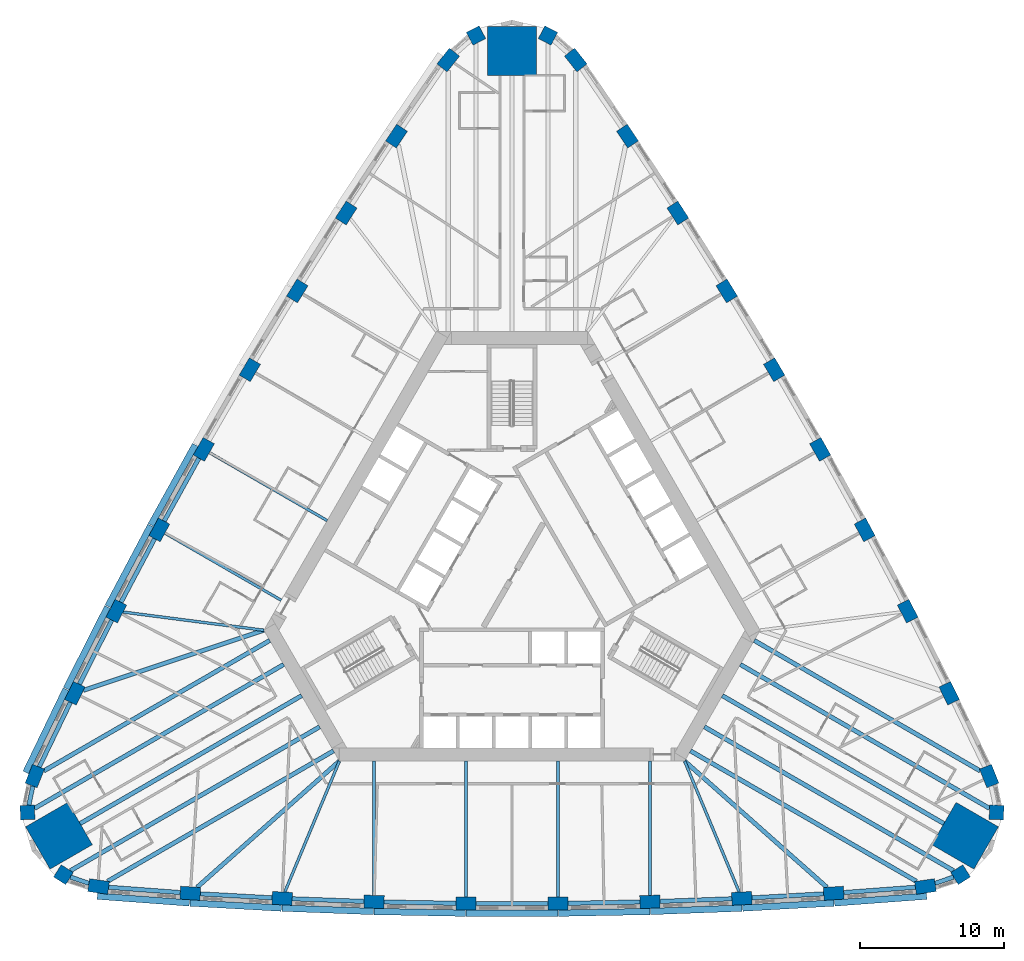
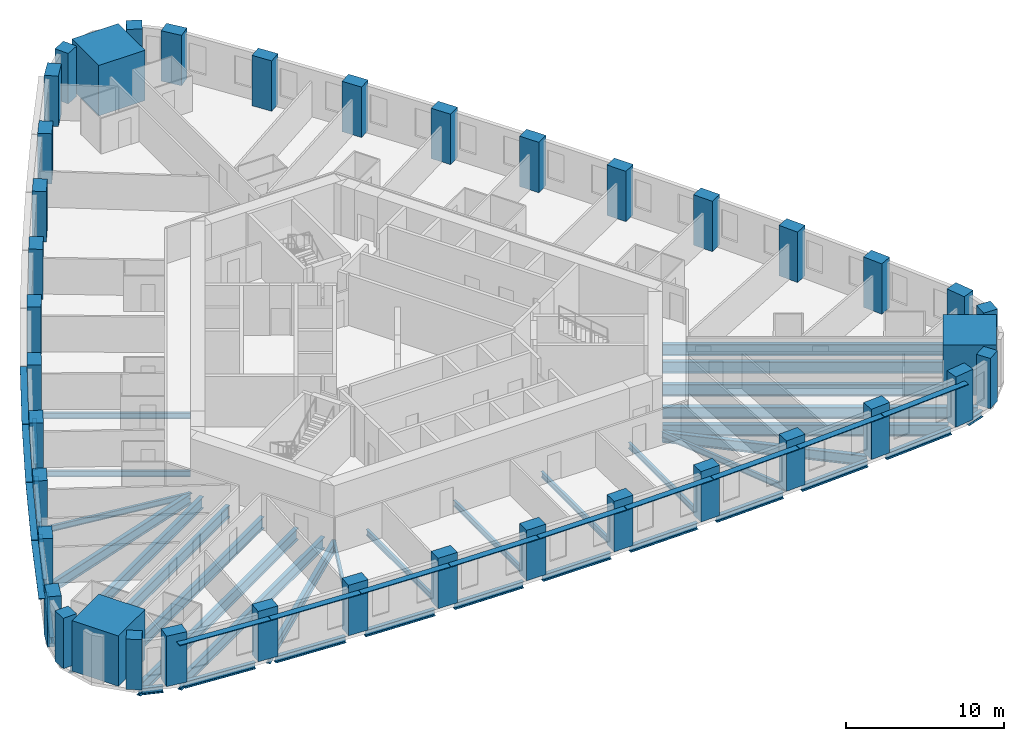
# One storey, part 1 of 12: 39 columns, 38 beams, 13 members.
"""IFC4 building model written with IfcOpenShell, lengths in metres."""

from ifc_helpers import new_model, si_unit, direction, frame, origin, origin_2d, place, context, subcontext, project, spatial, rectangle, i_section, extrude, material, material_profile, profile_set, type_object, element, save


model = new_model("IFC4")

# Units and contexts
model_context = context("Model", 3, precision=1e-05, world=origin(), true_north=direction((0.0, 1.0)))
body_context = subcontext(model_context, "Body", "Model", "MODEL_VIEW")
ifc_project = project(units=[si_unit("LENGTHUNIT", "METRE"), si_unit("AREAUNIT", "SQUARE_METRE"), si_unit("VOLUMEUNIT", "CUBIC_METRE"), si_unit("PLANEANGLEUNIT", "RADIAN"), si_unit("MASSUNIT", "GRAM", prefix="KILO")], contexts=[model_context])

# Site, building, storey
site_placement = place(None, origin())
site = spatial("IfcSite", under=ifc_project, at=site_placement, CompositionType="ELEMENT")
building_placement = place(site_placement, origin())
building = spatial("IfcBuilding", under=site, at=building_placement, Name="Mestral Congress Tower", CompositionType="ELEMENT")
storey_placement = place(building_placement, frame((0.0, 0.0, 39.300048828125)))
storey = spatial("IfcBuildingStorey", under=building, at=storey_placement, Name="L08", CompositionType="ELEMENT", Elevation=39.300048828125)

# Columns
ifc_material_1 = material(Name="Concrete C70/85", Category="concrete")
ifc_material_profile_1 = material_profile(ifc_material_1, rectangle(XDim=1.0, YDim=1.0, at=origin_2d()), Name="RC 1000x1000")
ifc_profile_set_1 = profile_set([ifc_material_profile_1], Name="Concrete C70/85")
column_type_1 = type_object("IfcColumnType", Name="Column RC 1000x1000 C70/85", PredefinedType="COLUMN", material=ifc_profile_set_1)
for number, where, z_axis, x_axis, name in (
    (1, (31.210205078125, -20.90966796875, 0.0), (0.0, 0.0, 1.0), (0.844485001826, 0.535579202071, 0.0), "COL-L08-C1-SE1"),
    (2, (33.71337890625, -16.573974609375, 0.0), (0.0, 0.0, 1.0), (0.041582693819, 0.999135065732, 0.0), "COL-L08-C1-SE3"),
    (3, (2.503173828125, 37.483642578125, 0.0), (0.0, 0.0, 1.0), (-0.886067695645, 0.463555863661, 0.0), "COL-L08-C1-N1"),
    (4, (-2.503173828125, 37.483642578125, 0.0), (0.0, 0.0, 1.0), (-0.886067695645, -0.463555863661, 0.0), "COL-L08-C1-N3"),
    (5, (-33.71337890625, -16.573974609375, 0.0), (0.0, 0.0, 1.0), (0.041582693819, -0.999135065732, 0.0), "COL-L08-C1-SW1"),
    (6, (-31.210205078125, -20.90966796875, 0.0), (0.0, 0.0, 1.0), (0.844485001826, -0.535579202071, 0.0), "COL-L08-C1-SW3"),
):
    element("IfcColumn", number, at=place(storey_placement, frame(where, z_axis=z_axis, x_axis=x_axis)), inside=storey, type_object=column_type_1, Name=name, PredefinedType="COLUMN", context=body_context, shape_type="SweptSolid", body=[
        extrude(rectangle(XDim=1.0, YDim=1.0, at=origin_2d()), origin(), (0.0, 0.0, 1.0), 3.89990234375),
    ])
ifc_material_profile_2 = material_profile(ifc_material_1, rectangle(XDim=1.39990234375, YDim=0.89990234375, at=origin_2d()), Name="RC 1400x900")
ifc_profile_set_2 = profile_set([ifc_material_profile_2], Name="Concrete C70/85")
column_type_2 = type_object("IfcColumnType", Name="Column RC 1400x900 C70/85", PredefinedType="COLUMN", material=ifc_profile_set_2)
for number, where, z_axis, x_axis, name in (
    (7, (-28.766845703125, -21.730712890625, 0.0), (0.0, 0.0, 1.0), (0.989423502484, -0.145055619443, 0.0), "COL-L08-C1-S00"),
    (8, (-22.384521484375, -22.20361328125, 0.0), (0.0, 0.0, 1.0), (0.997907501024, -0.064657709518, 0.0), "COL-L08-C1-S01"),
    (9, (-15.994384765625, -22.558349609375, 0.0), (0.0, 0.0, 1.0), (0.998932216029, -0.04619986774, 0.0), "COL-L08-C1-S02"),
    (10, (-9.598876953125, -22.794921875, 0.0), (0.0, 0.0, 1.0), (0.999615553977, -0.027726237529, 0.0), "COL-L08-C1-S03"),
    (11, (-3.199951171875, -22.9130859375, 0.0), (0.0, 0.0, 1.0), (0.999957281342, -0.009243132098, 0.0), "COL-L08-C1-S04"),
    (12, (3.199951171875, -22.9130859375, 0.0), (0.0, 0.0, 1.0), (0.999957281342, 0.009243132098, 0.0), "COL-L08-C1-S05"),
    (13, (9.598876953125, -22.794921875, 0.0), (0.0, 0.0, 1.0), (0.999615553977, 0.027726237529, 0.0), "COL-L08-C1-S06"),
    (14, (15.994384765625, -22.558349609375, 0.0), (0.0, 0.0, 1.0), (0.998932216029, 0.04619986774, 0.0), "COL-L08-C1-S07"),
    (15, (22.384521484375, -22.20361328125, 0.0), (0.0, 0.0, 1.0), (0.997907501024, 0.064657709518, 0.0), "COL-L08-C1-S08"),
    (16, (28.766845703125, -21.730712890625, 0.0), (0.0, 0.0, 1.0), (0.989423502484, 0.145055619443, 0.0), "COL-L08-C1-S09"),
    (17, (33.202880859375, -14.04736328125, 0.0), (0.0, 0.0, 1.0), (-0.369089899843, 0.929393697974, 0.0), "COL-L08-C1-E00"),
    (18, (30.421142578125, -8.28369140625, 0.0), (0.0, 0.0, 1.0), (-0.442958531519, 0.896542101273, 0.0), "COL-L08-C1-E01"),
    (19, (27.533203125, -2.572265625, 0.0), (0.0, 0.0, 1.0), (-0.4594558489, 0.88820060961, 0.0), "COL-L08-C1-E02"),
    (20, (24.540283203125, 3.084716796875, 0.0), (0.0, 0.0, 1.0), (-0.475796150937, 0.879555582526, 0.0), "COL-L08-C1-E03"),
    (21, (21.443359375, 8.685302734375, 0.0), (0.0, 0.0, 1.0), (-0.491973853463, 0.870609974391, 0.0), "COL-L08-C1-E04"),
    (22, (18.243408203125, 14.227783203125, 0.0), (0.0, 0.0, 1.0), (-0.507983427879, 0.861366842292, 0.0), "COL-L08-C1-E05"),
    (23, (14.941650390625, 19.710205078125, 0.0), (0.0, 0.0, 1.0), (-0.52381940304, 0.851829344998, 0.0), "COL-L08-C1-E06"),
    (24, (11.5390625, 25.130615234375, 0.0), (0.0, 0.0, 1.0), (-0.539476367129, 0.84200074187, 0.0), "COL-L08-C1-E07"),
    (25, (8.03662109375, 30.4873046875, 0.0), (0.0, 0.0, 1.0), (-0.554948969505, 0.831884391755, 0.0), "COL-L08-C1-E08"),
    (26, (4.43603515625, 35.7783203125, 0.0), (0.0, 0.0, 1.0), (-0.620333602641, 0.784338078531, 0.0), "COL-L08-C1-E09"),
    (27, (-4.43603515625, 35.7783203125, 0.0), (0.0, 0.0, 1.0), (-0.620333602641, -0.784338078531, 0.0), "COL-L08-C1-W00"),
    (28, (-8.03662109375, 30.4873046875, 0.0), (0.0, 0.0, 1.0), (-0.554948969505, -0.831884391755, 0.0), "COL-L08-C1-W01"),
    (29, (-11.5390625, 25.130615234375, 0.0), (0.0, 0.0, 1.0), (-0.539476367129, -0.84200074187, 0.0), "COL-L08-C1-W02"),
    (30, (-14.941650390625, 19.710205078125, 0.0), (0.0, 0.0, 1.0), (-0.52381940304, -0.851829344998, 0.0), "COL-L08-C1-W03"),
    (31, (-18.243408203125, 14.227783203125, 0.0), (0.0, 0.0, 1.0), (-0.507983427879, -0.861366842292, 0.0), "COL-L08-C1-W04"),
    (32, (-21.443359375, 8.685302734375, 0.0), (0.0, 0.0, 1.0), (-0.491973853463, -0.870609974391, 0.0), "COL-L08-C1-W05"),
    (33, (-24.540283203125, 3.084716796875, 0.0), (0.0, 0.0, 1.0), (-0.475796150937, -0.879555582526, 0.0), "COL-L08-C1-W06"),
    (34, (-27.533203125, -2.572265625, 0.0), (0.0, 0.0, 1.0), (-0.4594558489, -0.88820060961, 0.0), "COL-L08-C1-W07"),
    (35, (-30.421142578125, -8.28369140625, 0.0), (0.0, 0.0, 1.0), (-0.442958531519, -0.896542101273, 0.0), "COL-L08-C1-W08"),
    (36, (-33.202880859375, -14.04736328125, 0.0), (0.0, 0.0, 1.0), (-0.369089899843, -0.929393697974, 0.0), "COL-L08-C1-W09"),
):
    element("IfcColumn", number, at=place(storey_placement, frame(where, z_axis=z_axis, x_axis=x_axis)), inside=storey, type_object=column_type_2, Name=name, PredefinedType="COLUMN", context=body_context, shape_type="SweptSolid", body=[
        extrude(rectangle(XDim=1.39990234375, YDim=0.89990234375, at=origin_2d()), origin(), (0.0, 0.0, 1.0), 3.89990234375),
    ])
ifc_material_2 = material(Name="Concrete C80/95", Category="concrete")
ifc_material_profile_3 = material_profile(ifc_material_2, rectangle(XDim=3.39990234375, YDim=3.39990234375, at=origin_2d()), Name="RC 3400x3400")
ifc_profile_set_3 = profile_set([ifc_material_profile_3], Name="Concrete C80/95")
column_type_3 = type_object("IfcColumnType", Name="Mega column RC 3400x3400 C80/95", PredefinedType="COLUMN", material=ifc_profile_set_3)
for number, where, z_axis, x_axis, name in (
    (37, (31.5224609375, -18.199462890625, 0.0), (0.0, 0.0, 1.0), (0.866025403784, -0.5, 0.0), "COL-L08-PY1-SE"),
    (38, (0.0, 36.39892578125, 0.0), (0.0, 0.0, 1.0), (0.0, 1.0, 0.0), "COL-L08-PY1-N"),
    (39, (-31.5224609375, -18.199462890625, 0.0), (0.0, 0.0, 1.0), (-0.866025403784, -0.5, 0.0), "COL-L08-PY1-SW"),
):
    element("IfcColumn", number, at=place(storey_placement, frame(where, z_axis=z_axis, x_axis=x_axis)), inside=storey, type_object=column_type_3, Name=name, PredefinedType="COLUMN", context=body_context, shape_type="SweptSolid", body=[
        extrude(rectangle(XDim=3.39990234375, YDim=3.39990234375, at=origin_2d()), origin(), (0.0, 0.0, 1.0), 3.89990234375),
    ])

# Members
ifc_material_3 = material(Name="Glazed ceramic", Category="masonry")
ifc_material_profile_4 = material_profile(ifc_material_3, rectangle(XDim=0.449951171875, YDim=0.06005859375, at=origin_2d()), Name="Ceramic blade 450 x 60")
ifc_profile_set_4 = profile_set([ifc_material_profile_4], Name="Glazed ceramic")
member_type = type_object("IfcMemberType", Name="Facade sunshade blade 450 x 60", PredefinedType="USERDEFINED", material=ifc_profile_set_4)
member_1_placement = place(storey_placement, frame((-28.853271484375, -22.4013671875, 3.280029296875), z_axis=(0.997269829073, -0.073843672858, 0.0), x_axis=(0.073843672858, 0.997269829073, 0.0)))
element("IfcMember", 40, at=member_1_placement, inside=storey, type_object=member_type, Name="Sunshade F0-00", ObjectType="SUNSHADE", PredefinedType="USERDEFINED", context=body_context, shape_type="SweptSolid", body=[
    extrude(rectangle(XDim=0.449951171875, YDim=0.06005859375, at=origin_2d()), origin(), (0.0, 0.0, 1.0), 6.420654296875),
])
member_2_placement = place(storey_placement, frame((-22.406005859375, -22.87841796875, 3.280029296875), z_axis=(0.998462240013, -0.055436046654, 0.0), x_axis=(0.055436046654, 0.998462240013, 0.0)))
element("IfcMember", 41, at=member_2_placement, inside=storey, type_object=member_type, Name="Sunshade F0-01", ObjectType="SUNSHADE", PredefinedType="USERDEFINED", context=body_context, shape_type="SweptSolid", body=[
    extrude(rectangle(XDim=0.449951171875, YDim=0.06005859375, at=origin_2d()), origin(), (0.0, 0.0, 1.0), 6.3681640625),
])
member_3_placement = place(storey_placement, frame((-16.00341796875, -23.2333984375, 3.280029296875), z_axis=(0.99931546381, -0.036994645436, 0.0), x_axis=(0.036994645436, 0.99931546381, 0.0)))
element("IfcMember", 42, at=member_3_placement, inside=storey, type_object=member_type, Name="Sunshade F0-02", ObjectType="SUNSHADE", PredefinedType="USERDEFINED", context=body_context, shape_type="SweptSolid", body=[
    extrude(rectangle(XDim=0.449951171875, YDim=0.06005859375, at=origin_2d()), origin(), (0.0, 0.0, 1.0), 6.368408203125),
])
for number, where, z_axis, x_axis, name in (
    (43, (-9.595458984375, -23.47021484375, 3.280029296875), (0.99982925906, -0.018478439527, 0.0), (0.018478439527, 0.99982925906, 0.0), "Sunshade F0-03"),
    (44, (-3.18408203125, -23.588134765625, 3.280029296875), (1.0, 0.0, 0.0), (0.0, 1.0, 0.0), "Sunshade F0-04"),
    (45, (3.228271484375, -23.587890625, 3.280029296875), (0.99982925906, 0.018478439527, 0.0), (-0.018478439527, 0.99982925906, 0.0), "Sunshade F0-05"),
):
    element("IfcMember", number, at=place(storey_placement, frame(where, z_axis=z_axis, x_axis=x_axis)), inside=storey, type_object=member_type, Name=name, ObjectType="SUNSHADE", PredefinedType="USERDEFINED", context=body_context, shape_type="SweptSolid", body=[
        extrude(rectangle(XDim=0.449951171875, YDim=0.06005859375, at=origin_2d()), origin(), (0.0, 0.0, 1.0), 6.3681640625),
    ])
member_4_placement = place(storey_placement, frame((9.639404296875, -23.468994140625, 3.280029296875), z_axis=(0.99931546381, 0.036994645436, 0.0), x_axis=(-0.036994645436, 0.99931546381, 0.0)))
element("IfcMember", 46, at=member_4_placement, inside=storey, type_object=member_type, Name="Sunshade F0-06", ObjectType="SUNSHADE", PredefinedType="USERDEFINED", context=body_context, shape_type="SweptSolid", body=[
    extrude(rectangle(XDim=0.449951171875, YDim=0.06005859375, at=origin_2d()), origin(), (0.0, 0.0, 1.0), 6.368408203125),
])
member_5_placement = place(storey_placement, frame((16.047607421875, -23.2314453125, 3.280029296875), z_axis=(0.998462240013, 0.055436046654, 0.0), x_axis=(-0.055436046654, 0.998462240013, 0.0)))
element("IfcMember", 47, at=member_5_placement, inside=storey, type_object=member_type, Name="Sunshade F0-07", ObjectType="SUNSHADE", PredefinedType="USERDEFINED", context=body_context, shape_type="SweptSolid", body=[
    extrude(rectangle(XDim=0.449951171875, YDim=0.06005859375, at=origin_2d()), origin(), (0.0, 0.0, 1.0), 6.3681640625),
])
member_6_placement = place(storey_placement, frame((22.4501953125, -22.87548828125, 3.280029296875), z_axis=(0.997269829073, 0.073843672858, 0.0), x_axis=(-0.073843672858, 0.997269829073, 0.0)))
element("IfcMember", 48, at=member_6_placement, inside=storey, type_object=member_type, Name="Sunshade F0-08", ObjectType="SUNSHADE", PredefinedType="USERDEFINED", context=body_context, shape_type="SweptSolid", body=[
    extrude(rectangle(XDim=0.449951171875, YDim=0.06005859375, at=origin_2d()), origin(), (0.0, 0.0, 1.0), 6.420654296875),
])
for number, where, z_axis, x_axis, name in (
    (49, (-22.041748046875, 8.998291015625, 3.280029296875), (-0.483893994258, -0.875126620736, 0.0), (0.875126620736, -0.483893994258, 0.0), "Sunshade F2-05"),
    (50, (-25.144287109375, 3.38623046875, 3.280029296875), (-0.467674573128, -0.883900726128, 0.0), (0.883900726128, -0.467674573128, 0.0), "Sunshade F2-06"),
    (51, (-28.142822265625, -2.28173828125, 3.280029296875), (-0.451226804026, -0.892409307061, 0.0), (0.892409307061, -0.451226804026, 0.0), "Sunshade F2-07"),
):
    element("IfcMember", number, at=place(storey_placement, frame(where, z_axis=z_axis, x_axis=x_axis)), inside=storey, type_object=member_type, Name=name, ObjectType="SUNSHADE", PredefinedType="USERDEFINED", context=body_context, shape_type="SweptSolid", body=[
        extrude(rectangle(XDim=0.449951171875, YDim=0.06005859375, at=origin_2d()), origin(), (0.0, 0.0, 1.0), 6.3681640625),
    ])
member_7_placement = place(storey_placement, frame((-31.035888671875, -8.00439453125, 3.280029296875), z_axis=(-0.434637414368, -0.900605528537, 0.0), x_axis=(0.900605528537, -0.434637414368, 0.0)))
element("IfcMember", 52, at=member_7_placement, inside=storey, type_object=member_type, Name="Sunshade F2-08", ObjectType="SUNSHADE", PredefinedType="USERDEFINED", context=body_context, shape_type="SweptSolid", body=[
    extrude(rectangle(XDim=0.449951171875, YDim=0.06005859375, at=origin_2d()), origin(), (0.0, 0.0, 1.0), 6.4208984375),
])

# Beams
ifc_material_4 = material(Name="Steel S355", Category="steel")
ifc_material_profile_5 = material_profile(ifc_material_4, i_section(OverallWidth=0.300048828125, OverallDepth=0.800048828125, WebThickness=0.017578125, FlangeThickness=0.032958984375, FilletRadius=0.030029296875, at=origin_2d()), Name="HEB 800")
ifc_profile_set_5 = profile_set([ifc_material_profile_5], Name="Steel S355")
beam_type_1 = type_object("IfcBeamType", Name="Floor beam HEB 800 S355", PredefinedType="BEAM", material=ifc_profile_set_5)
for number, where, z_axis, x_axis, name in (
    (53, (-21.91064453125, -21.783447265625, -0.650146484375), (0.748091770025, 0.663595286015, 0.0), (-0.663595286015, 0.748091770025, 0.0), "BM-L08-RB1-S01"),
    (54, (21.91064453125, -21.783447265625, -0.650146484375), (-0.748091770025, 0.663595286015, 0.0), (-0.663595286015, -0.748091770025, 0.0), "BM-L08-RB1-S08"),
    (55, (-29.8203125, -8.08349609375, -0.650146484375), (0.948734931285, 0.316072824141, 0.0), (-0.316072824141, 0.948734931285, 0.0), "BM-L08-RB1-W08"),
):
    element("IfcBeam", number, at=place(storey_placement, frame(where, z_axis=z_axis, x_axis=x_axis)), inside=storey, type_object=beam_type_1, Name=name, PredefinedType="BEAM", context=body_context, shape_type="SweptSolid", body=[
        extrude(i_section(OverallWidth=0.300048828125, OverallDepth=0.800048828125, WebThickness=0.017578125, FlangeThickness=0.032958984375, FilletRadius=0.030029296875, at=origin_2d()), origin(), (0.0, 0.0, 1.0), 13.236083984375),
    ])
ifc_material_profile_6 = material_profile(ifc_material_4, i_section(OverallWidth=0.300048828125, OverallDepth=0.89990234375, WebThickness=0.0185546875, FlangeThickness=0.034912109375, FilletRadius=0.030029296875, at=origin_2d()), Name="HEB 900")
ifc_profile_set_6 = profile_set([ifc_material_profile_6], Name="Steel S355")
beam_type_2 = type_object("IfcBeamType", Name="Floor beam HEB 900 S355", PredefinedType="BEAM", material=ifc_profile_set_6)
for number, where, z_axis, x_axis, name in (
    (56, (-28.138671875, -21.3681640625, -0.699951171875), (0.866027243369, 0.499996813733, 0.0), (-0.499996813733, 0.866027243369, 0.0), "BM-L08-RB1-S00"),
    (57, (28.138671875, -21.3681640625, -0.699951171875), (-0.866027243369, 0.499996813733, 0.0), (-0.499996813733, -0.866027243369, 0.0), "BM-L08-RB1-S09"),
):
    element("IfcBeam", number, at=place(storey_placement, frame(where, z_axis=z_axis, x_axis=x_axis)), inside=storey, type_object=beam_type_2, Name=name, PredefinedType="BEAM", context=body_context, shape_type="SweptSolid", body=[
        extrude(i_section(OverallWidth=0.300048828125, OverallDepth=0.89990234375, WebThickness=0.0185546875, FlangeThickness=0.034912109375, FilletRadius=0.030029296875, at=origin_2d()), origin(), (0.0, 0.0, 1.0), 18.15283203125),
    ])
beam_1_placement = place(storey_placement, frame((30.721435546875, -20.62744140625, -0.699951171875), z_axis=(-0.866027382289, 0.499996573113, 0.0), x_axis=(-0.499996573113, -0.866027382289, 0.0)))
element("IfcBeam", 58, at=beam_1_placement, inside=storey, type_object=beam_type_2, Name="BM-L08-RB1-SE1", PredefinedType="BEAM", context=body_context, shape_type="SweptSolid", body=[
    extrude(i_section(OverallWidth=0.300048828125, OverallDepth=0.89990234375, WebThickness=0.0185546875, FlangeThickness=0.034912109375, FilletRadius=0.030029296875, at=origin_2d()), origin(), (0.0, 0.0, 1.0), 20.019287109375),
])
beam_2_placement = place(storey_placement, frame((30.050048828125, -17.349609375, -0.699951171875), z_axis=(-0.866020438056, 0.500008600796, 0.0), x_axis=(-0.500008600796, -0.866020438056, 0.0)))
element("IfcBeam", 59, at=beam_2_placement, inside=storey, type_object=beam_type_2, Name="BM-L08-RB1-SE", PredefinedType="BEAM", context=body_context, shape_type="SweptSolid", body=[
    extrude(i_section(OverallWidth=0.300048828125, OverallDepth=0.89990234375, WebThickness=0.0185546875, FlangeThickness=0.034912109375, FilletRadius=0.030029296875, at=origin_2d()), origin(), (0.0, 0.0, 1.0), 17.799072265625),
])
beam_3_placement = place(storey_placement, frame((33.224609375, -16.291748046875, -0.699951171875), z_axis=(-0.866027382289, 0.499996573113, 0.0), x_axis=(-0.499996573113, -0.866027382289, 0.0)))
element("IfcBeam", 60, at=beam_3_placement, inside=storey, type_object=beam_type_2, Name="BM-L08-RB1-SE3", PredefinedType="BEAM", context=body_context, shape_type="SweptSolid", body=[
    extrude(i_section(OverallWidth=0.300048828125, OverallDepth=0.89990234375, WebThickness=0.0185546875, FlangeThickness=0.034912109375, FilletRadius=0.030029296875, at=origin_2d()), origin(), (0.0, 0.0, 1.0), 20.019287109375),
])
for number, where, z_axis, x_axis, name in (
    (61, (32.574462890625, -13.6845703125, -0.699951171875), (-0.866029704776, 0.49999255039, 0.0), (-0.49999255039, -0.866029704776, 0.0), "BM-L08-RB1-E00"),
    (62, (-32.574462890625, -13.6845703125, -0.699951171875), (0.866029704776, 0.49999255039, 0.0), (-0.49999255039, 0.866029704776, 0.0), "BM-L08-RB1-W09"),
):
    element("IfcBeam", number, at=place(storey_placement, frame(where, z_axis=z_axis, x_axis=x_axis)), inside=storey, type_object=beam_type_2, Name=name, PredefinedType="BEAM", context=body_context, shape_type="SweptSolid", body=[
        extrude(i_section(OverallWidth=0.300048828125, OverallDepth=0.89990234375, WebThickness=0.0185546875, FlangeThickness=0.034912109375, FilletRadius=0.030029296875, at=origin_2d()), origin(), (0.0, 0.0, 1.0), 18.152587890625),
    ])
beam_4_placement = place(storey_placement, frame((-33.224609375, -16.291748046875, -0.699951171875), z_axis=(0.866027382289, 0.499996573113, 0.0), x_axis=(-0.499996573113, 0.866027382289, 0.0)))
element("IfcBeam", 63, at=beam_4_placement, inside=storey, type_object=beam_type_2, Name="BM-L08-RB1-SW1", PredefinedType="BEAM", context=body_context, shape_type="SweptSolid", body=[
    extrude(i_section(OverallWidth=0.300048828125, OverallDepth=0.89990234375, WebThickness=0.0185546875, FlangeThickness=0.034912109375, FilletRadius=0.030029296875, at=origin_2d()), origin(), (0.0, 0.0, 1.0), 20.019287109375),
])
beam_5_placement = place(storey_placement, frame((-30.050048828125, -17.349609375, -0.699951171875), z_axis=(0.866020438056, 0.500008600796, 0.0), x_axis=(-0.500008600796, 0.866020438056, 0.0)))
element("IfcBeam", 64, at=beam_5_placement, inside=storey, type_object=beam_type_2, Name="BM-L08-RB1-SW", PredefinedType="BEAM", context=body_context, shape_type="SweptSolid", body=[
    extrude(i_section(OverallWidth=0.300048828125, OverallDepth=0.89990234375, WebThickness=0.0185546875, FlangeThickness=0.034912109375, FilletRadius=0.030029296875, at=origin_2d()), origin(), (0.0, 0.0, 1.0), 17.799072265625),
])
beam_6_placement = place(storey_placement, frame((-30.721435546875, -20.62744140625, -0.699951171875), z_axis=(0.866027382289, 0.499996573113, 0.0), x_axis=(-0.499996573113, 0.866027382289, 0.0)))
element("IfcBeam", 65, at=beam_6_placement, inside=storey, type_object=beam_type_2, Name="BM-L08-RB1-SW3", PredefinedType="BEAM", context=body_context, shape_type="SweptSolid", body=[
    extrude(i_section(OverallWidth=0.300048828125, OverallDepth=0.89990234375, WebThickness=0.0185546875, FlangeThickness=0.034912109375, FilletRadius=0.030029296875, at=origin_2d()), origin(), (0.0, 0.0, 1.0), 20.019287109375),
])
ifc_material_profile_7 = material_profile(ifc_material_4, i_section(OverallWidth=0.18994140625, OverallDepth=0.449951171875, WebThickness=0.009521484375, FlangeThickness=0.0146484375, FilletRadius=0.02099609375, at=origin_2d()), Name="IPE 450")
ifc_profile_set_7 = profile_set([ifc_material_profile_7], Name="Steel S355")
beam_type_3 = type_object("IfcBeamType", Name="Floor beam IPE 450 S355", PredefinedType="BEAM", material=ifc_profile_set_7)
beam_7_placement = place(storey_placement, frame((-15.81005859375, -22.116455078125, -0.47509765625), z_axis=(0.384852309441, 0.922978168711, 0.0), x_axis=(-0.922978168711, 0.384852309441, 0.0)))
element("IfcBeam", 66, at=beam_7_placement, inside=storey, type_object=beam_type_3, Name="BM-L08-RB1-S02", PredefinedType="BEAM", context=body_context, shape_type="SweptSolid", body=[
    extrude(i_section(OverallWidth=0.18994140625, OverallDepth=0.449951171875, WebThickness=0.009521484375, FlangeThickness=0.0146484375, FilletRadius=0.02099609375, at=origin_2d()), origin(), (0.0, 0.0, 1.0), 9.877197265625),
])
beam_8_placement = place(storey_placement, frame((-9.598876953125, -22.3447265625, -0.47509765625), z_axis=(0.0, 1.0, 0.0), x_axis=(-1.0, 0.0, 0.0)))
element("IfcBeam", 67, at=beam_8_placement, inside=storey, type_object=beam_type_3, Name="BM-L08-RB1-S03", PredefinedType="BEAM", context=body_context, shape_type="SweptSolid", body=[
    extrude(i_section(OverallWidth=0.18994140625, OverallDepth=0.449951171875, WebThickness=0.009521484375, FlangeThickness=0.0146484375, FilletRadius=0.02099609375, at=origin_2d()), origin(), (0.0, 0.0, 1.0), 9.3447265625),
])
for number, where, z_axis, x_axis, name in (
    (68, (-3.199951171875, -22.463134765625, -0.47509765625), (0.0, 1.0, 0.0), (-1.0, 0.0, 0.0), "BM-L08-RB1-S04"),
    (69, (3.199951171875, -22.463134765625, -0.47509765625), (0.0, 1.0, 0.0), (-1.0, 0.0, 0.0), "BM-L08-RB1-S05"),
):
    element("IfcBeam", number, at=place(storey_placement, frame(where, z_axis=z_axis, x_axis=x_axis)), inside=storey, type_object=beam_type_3, Name=name, PredefinedType="BEAM", context=body_context, shape_type="SweptSolid", body=[
        extrude(i_section(OverallWidth=0.18994140625, OverallDepth=0.449951171875, WebThickness=0.009521484375, FlangeThickness=0.0146484375, FilletRadius=0.02099609375, at=origin_2d()), origin(), (0.0, 0.0, 1.0), 9.463134765625),
    ])
beam_9_placement = place(storey_placement, frame((9.598876953125, -22.3447265625, -0.47509765625), z_axis=(0.0, 1.0, 0.0), x_axis=(-1.0, 0.0, 0.0)))
element("IfcBeam", 70, at=beam_9_placement, inside=storey, type_object=beam_type_3, Name="BM-L08-RB1-S06", PredefinedType="BEAM", context=body_context, shape_type="SweptSolid", body=[
    extrude(i_section(OverallWidth=0.18994140625, OverallDepth=0.449951171875, WebThickness=0.009521484375, FlangeThickness=0.0146484375, FilletRadius=0.02099609375, at=origin_2d()), origin(), (0.0, 0.0, 1.0), 9.3447265625),
])
beam_10_placement = place(storey_placement, frame((15.81005859375, -22.116455078125, -0.47509765625), z_axis=(-0.384852309441, 0.922978168711, 0.0), x_axis=(-0.922978168711, -0.384852309441, 0.0)))
element("IfcBeam", 71, at=beam_10_placement, inside=storey, type_object=beam_type_3, Name="BM-L08-RB1-S07", PredefinedType="BEAM", context=body_context, shape_type="SweptSolid", body=[
    extrude(i_section(OverallWidth=0.18994140625, OverallDepth=0.449951171875, WebThickness=0.009521484375, FlangeThickness=0.0146484375, FilletRadius=0.02099609375, at=origin_2d()), origin(), (0.0, 0.0, 1.0), 9.877197265625),
])
beam_11_placement = place(storey_placement, frame((-21.0537109375, 8.46044921875, -0.47509765625), z_axis=(0.866019749231, -0.500009793847, 0.0), x_axis=(0.500009793847, 0.866019749231, 0.0)))
element("IfcBeam", 72, at=beam_11_placement, inside=storey, type_object=beam_type_3, Name="BM-L08-RB1-W05", PredefinedType="BEAM", context=body_context, shape_type="SweptSolid", body=[
    extrude(i_section(OverallWidth=0.18994140625, OverallDepth=0.449951171875, WebThickness=0.009521484375, FlangeThickness=0.0146484375, FilletRadius=0.02099609375, at=origin_2d()), origin(), (0.0, 0.0, 1.0), 9.463134765625),
])
beam_12_placement = place(storey_placement, frame((-24.150634765625, 2.859619140625, -0.47509765625), z_axis=(0.866032011123, -0.499988555579, 0.0), x_axis=(0.499988555579, 0.866032011123, 0.0)))
element("IfcBeam", 73, at=beam_12_placement, inside=storey, type_object=beam_type_3, Name="BM-L08-RB1-W06", PredefinedType="BEAM", context=body_context, shape_type="SweptSolid", body=[
    extrude(i_section(OverallWidth=0.18994140625, OverallDepth=0.449951171875, WebThickness=0.009521484375, FlangeThickness=0.0146484375, FilletRadius=0.02099609375, at=origin_2d()), origin(), (0.0, 0.0, 1.0), 9.344970703125),
])
beam_13_placement = place(storey_placement, frame((-27.058349609375, -2.6337890625, -0.47509765625), z_axis=(0.99175011495, -0.128186229747, 0.0), x_axis=(0.128186229747, 0.99175011495, 0.0)))
element("IfcBeam", 74, at=beam_13_placement, inside=storey, type_object=beam_type_3, Name="BM-L08-RB1-W07", PredefinedType="BEAM", context=body_context, shape_type="SweptSolid", body=[
    extrude(i_section(OverallWidth=0.18994140625, OverallDepth=0.449951171875, WebThickness=0.009521484375, FlangeThickness=0.0146484375, FilletRadius=0.02099609375, at=origin_2d()), origin(), (0.0, 0.0, 1.0), 9.877197265625),
])
ifc_material_profile_8 = material_profile(ifc_material_4, i_section(OverallWidth=0.300048828125, OverallDepth=0.489990234375, WebThickness=0.011962890625, FlangeThickness=0.02294921875, FilletRadius=0.027099609375, at=origin_2d()), Name="HEA 500")
ifc_profile_set_8 = profile_set([ifc_material_profile_8], Name="Steel S355")
beam_type_4 = type_object("IfcBeamType", Name="Spandrel beam HEA 500 S355", PredefinedType="BEAM", material=ifc_profile_set_8)
beam_14_placement = place(storey_placement, frame((-28.06689453125, -21.78271484375, -0.4951171875), z_axis=(0.997268820599, -0.073857291181, 0.0), x_axis=(0.073857291181, 0.997268820599, 0.0)))
element("IfcBeam", 75, at=beam_14_placement, inside=storey, type_object=beam_type_4, Name="SP-L08-SB1-S00", PredefinedType="BEAM", context=body_context, shape_type="SweptSolid", body=[
    extrude(i_section(OverallWidth=0.300048828125, OverallDepth=0.489990234375, WebThickness=0.011962890625, FlangeThickness=0.02294921875, FilletRadius=0.027099609375, at=origin_2d()), origin(), (0.0, 0.0, 1.0), 4.998046875),
])
for number, where, z_axis, x_axis, name in (
    (76, (-21.685546875, -22.242431640625, -0.4951171875), (0.998463056415, -0.055421340426, 0.0), (0.055421340426, 0.998463056415, 0.0), "SP-L08-SB1-S01"),
    (77, (-15.294677734375, -22.584228515625, -0.4951171875), (0.999316571833, -0.036964702901, 0.0), (0.036964702901, 0.999316571833, 0.0), "SP-L08-SB1-S02"),
    (78, (-8.89892578125, -22.807861328125, -0.4951171875), (0.999829645984, -0.018457492, 0.0), (0.018457492, 0.999829645984, 0.0), "SP-L08-SB1-S03"),
):
    element("IfcBeam", number, at=place(storey_placement, frame(where, z_axis=z_axis, x_axis=x_axis)), inside=storey, type_object=beam_type_4, Name=name, PredefinedType="BEAM", context=body_context, shape_type="SweptSolid", body=[
        extrude(i_section(OverallWidth=0.300048828125, OverallDepth=0.489990234375, WebThickness=0.011962890625, FlangeThickness=0.02294921875, FilletRadius=0.027099609375, at=origin_2d()), origin(), (0.0, 0.0, 1.0), 4.999755859375),
    ])
beam_15_placement = place(storey_placement, frame((-2.5, -22.9130859375, -0.4951171875), z_axis=(1.0, 0.0, 0.0), x_axis=(0.0, 1.0, 0.0)))
element("IfcBeam", 79, at=beam_15_placement, inside=storey, type_object=beam_type_4, Name="SP-L08-SB1-S04", PredefinedType="BEAM", context=body_context, shape_type="SweptSolid", body=[
    extrude(i_section(OverallWidth=0.300048828125, OverallDepth=0.489990234375, WebThickness=0.011962890625, FlangeThickness=0.02294921875, FilletRadius=0.027099609375, at=origin_2d()), origin(), (0.0, 0.0, 1.0), 5.0),
])
for number, where, z_axis, x_axis, name in (
    (80, (3.89990234375, -22.900146484375, -0.4951171875), (0.999829645984, 0.018457492, 0.0), (-0.018457492, 0.999829645984, 0.0), "SP-L08-SB1-S05"),
    (81, (10.29833984375, -22.76904296875, -0.4951171875), (0.999316571833, 0.036964702901, 0.0), (-0.036964702901, 0.999316571833, 0.0), "SP-L08-SB1-S06"),
    (82, (16.693359375, -22.51953125, -0.4951171875), (0.998463056415, 0.055421340426, 0.0), (-0.055421340426, 0.998463056415, 0.0), "SP-L08-SB1-S07"),
):
    element("IfcBeam", number, at=place(storey_placement, frame(where, z_axis=z_axis, x_axis=x_axis)), inside=storey, type_object=beam_type_4, Name=name, PredefinedType="BEAM", context=body_context, shape_type="SweptSolid", body=[
        extrude(i_section(OverallWidth=0.300048828125, OverallDepth=0.489990234375, WebThickness=0.011962890625, FlangeThickness=0.02294921875, FilletRadius=0.027099609375, at=origin_2d()), origin(), (0.0, 0.0, 1.0), 4.999755859375),
    ])
beam_16_placement = place(storey_placement, frame((23.08251953125, -22.15185546875, -0.4951171875), z_axis=(0.997268820599, 0.073857291181, 0.0), x_axis=(-0.073857291181, 0.997268820599, 0.0)))
element("IfcBeam", 83, at=beam_16_placement, inside=storey, type_object=beam_type_4, Name="SP-L08-SB1-S08", PredefinedType="BEAM", context=body_context, shape_type="SweptSolid", body=[
    extrude(i_section(OverallWidth=0.300048828125, OverallDepth=0.489990234375, WebThickness=0.011962890625, FlangeThickness=0.02294921875, FilletRadius=0.027099609375, at=origin_2d()), origin(), (0.0, 0.0, 1.0), 4.998046875),
])
beam_17_placement = place(storey_placement, frame((29.441162109375, -21.504150390625, -0.4951171875), z_axis=(0.947921796083, 0.318503168762, 0.0), x_axis=(-0.318503168762, 0.947921796083, 0.0)))
element("IfcBeam", 84, at=beam_17_placement, inside=storey, type_object=beam_type_4, Name="SP-L08-SB1-S09", PredefinedType="BEAM", context=body_context, shape_type="SweptSolid", body=[
    extrude(i_section(OverallWidth=0.300048828125, OverallDepth=0.489990234375, WebThickness=0.011962890625, FlangeThickness=0.02294921875, FilletRadius=0.027099609375, at=origin_2d()), origin(), (0.0, 0.0, 1.0), 1.351318359375),
])
beam_18_placement = place(storey_placement, frame((-21.7822265625, 8.07275390625, -0.4951171875), z_axis=(-0.483900688062, -0.875122919419, 0.0), x_axis=(0.875122919419, -0.483900688062, 0.0)))
element("IfcBeam", 85, at=beam_18_placement, inside=storey, type_object=beam_type_4, Name="SP-L08-SB1-W05", PredefinedType="BEAM", context=body_context, shape_type="SweptSolid", body=[
    extrude(i_section(OverallWidth=0.300048828125, OverallDepth=0.489990234375, WebThickness=0.011962890625, FlangeThickness=0.02294921875, FilletRadius=0.027099609375, at=origin_2d()), origin(), (0.0, 0.0, 1.0), 4.999755859375),
])
beam_19_placement = place(storey_placement, frame((-24.86767578125, 2.4658203125, -0.4951171875), z_axis=(-0.467681307417, -0.883897162962, 0.0), x_axis=(0.883897162962, -0.467681307417, 0.0)))
element("IfcBeam", 86, at=beam_19_placement, inside=storey, type_object=beam_type_4, Name="SP-L08-SB1-W06", PredefinedType="BEAM", context=body_context, shape_type="SweptSolid", body=[
    extrude(i_section(OverallWidth=0.300048828125, OverallDepth=0.489990234375, WebThickness=0.011962890625, FlangeThickness=0.02294921875, FilletRadius=0.027099609375, at=origin_2d()), origin(), (0.0, 0.0, 1.0), 5.0),
])
beam_20_placement = place(storey_placement, frame((-27.84912109375, -3.197021484375, -0.4951171875), z_axis=(-0.45123261425, -0.892406369227, 0.0), x_axis=(0.892406369227, -0.45123261425, 0.0)))
element("IfcBeam", 87, at=beam_20_placement, inside=storey, type_object=beam_type_4, Name="SP-L08-SB1-W07", PredefinedType="BEAM", context=body_context, shape_type="SweptSolid", body=[
    extrude(i_section(OverallWidth=0.300048828125, OverallDepth=0.489990234375, WebThickness=0.011962890625, FlangeThickness=0.02294921875, FilletRadius=0.027099609375, at=origin_2d()), origin(), (0.0, 0.0, 1.0), 4.999755859375),
])
beam_21_placement = place(storey_placement, frame((-30.725341796875, -8.9140625, -0.4951171875), z_axis=(-0.434645244295, -0.900601749727, 0.0), x_axis=(0.900601749727, -0.434645244295, 0.0)))
element("IfcBeam", 88, at=beam_21_placement, inside=storey, type_object=beam_type_4, Name="SP-L08-SB1-W08", PredefinedType="BEAM", context=body_context, shape_type="SweptSolid", body=[
    extrude(i_section(OverallWidth=0.300048828125, OverallDepth=0.489990234375, WebThickness=0.011962890625, FlangeThickness=0.02294921875, FilletRadius=0.027099609375, at=origin_2d()), origin(), (0.0, 0.0, 1.0), 4.998046875),
])
beam_22_placement = place(storey_placement, frame((-33.34375, -14.74462890625, -0.4951171875), z_axis=(-0.197991750859, -0.980203686277, 0.0), x_axis=(0.980203686277, -0.197991750859, 0.0)))
element("IfcBeam", 89, at=beam_22_placement, inside=storey, type_object=beam_type_4, Name="SP-L08-SB1-W09", PredefinedType="BEAM", context=body_context, shape_type="SweptSolid", body=[
    extrude(i_section(OverallWidth=0.300048828125, OverallDepth=0.489990234375, WebThickness=0.011962890625, FlangeThickness=0.02294921875, FilletRadius=0.027099609375, at=origin_2d()), origin(), (0.0, 0.0, 1.0), 1.3515625),
])
beam_23_placement = place(storey_placement, frame((-30.72216796875, -21.07373046875, -0.4951171875), z_axis=(0.947921796083, -0.318503168762, 0.0), x_axis=(0.318503168762, 0.947921796083, 0.0)))
element("IfcBeam", 90, at=beam_23_placement, inside=storey, type_object=beam_type_4, Name="SP-L08-SB1-SW3", PredefinedType="BEAM", context=body_context, shape_type="SweptSolid", body=[
    extrude(i_section(OverallWidth=0.300048828125, OverallDepth=0.489990234375, WebThickness=0.011962890625, FlangeThickness=0.02294921875, FilletRadius=0.027099609375, at=origin_2d()), origin(), (0.0, 0.0, 1.0), 1.351318359375),
])

save(model, "model.ifc")
